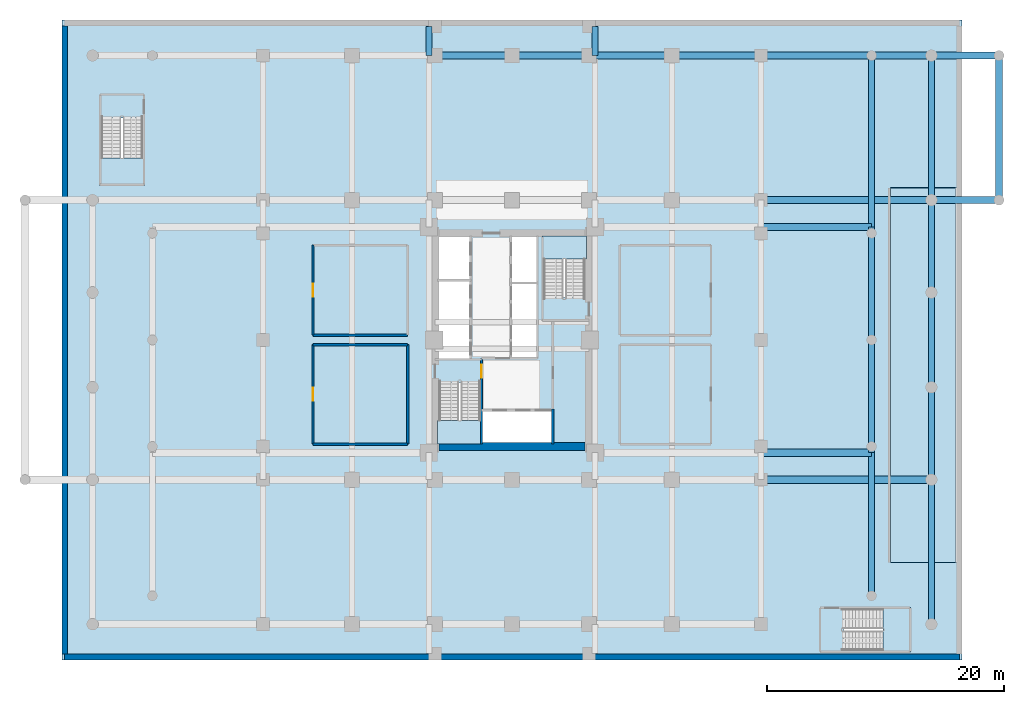
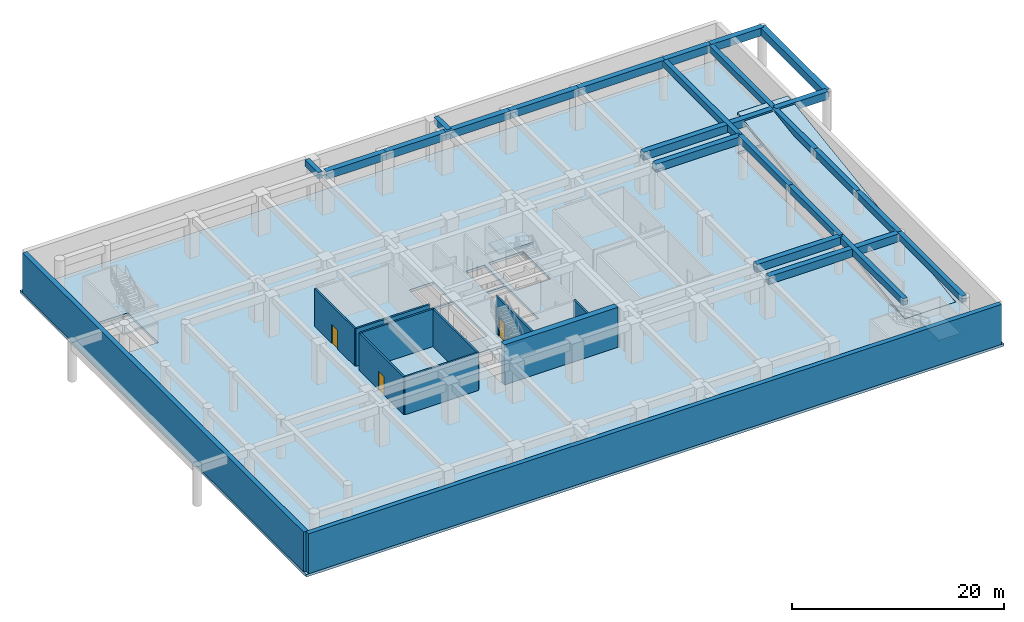
# One storey, part 2 of 12: 24 beams, 11 walls, 6 slabs, 3 doors, 3 openings, 4 elements without a shape of their own.
"""IFC4 building model written with IfcOpenShell, lengths in metres."""

import ifcopenshell
import ifcopenshell.guid

model = None  # the IFC model being written
_history = None  # IfcOwnerHistory: only IFC2X3 demands one
_inside = {}  # id of a spatial element -> (the spatial element, [elements in it])
_under = {}  # id of a project, library or spatial element -> (it, [spatial elements below it])
_declared = {}  # id of a project -> (the project, [libraries it declares])
_typed = {}  # id of a type object -> (the type object, [elements of that type])
_made_of = {}  # id of a material, layer set ... -> (it, [elements and type objects made of it])


def new_model(schema):
    """Start an empty IFC model of exactly this schema.

    Asked for "IFC4X3", IfcOpenShell would pick the latest addendum, in which some entities
    have other attributes; the version numbers below select the first issue.
    IFC2X3 requires an IfcOwnerHistory on every rooted entity: one is made here for all.
    """
    global model, _history
    if schema == "IFC4X3":
        model = ifcopenshell.file(schema_version=(4, 3, 0, 0))
    else:
        model = ifcopenshell.file(schema=schema)
    _inside.clear()
    _under.clear()
    _declared.clear()
    _typed.clear()
    _made_of.clear()
    _history = None
    if model.schema == "IFC2X3":
        org = make("IfcOrganization", Name="unknown")
        user = make(
            "IfcPersonAndOrganization",
            ThePerson=make("IfcPerson", FamilyName="unknown"),
            TheOrganization=org,
        )
        app = make(
            "IfcApplication",
            ApplicationDeveloper=org,
            Version="unknown",
            ApplicationFullName="unknown",
            ApplicationIdentifier="unknown",
        )
        _history = make(
            "IfcOwnerHistory",
            OwningUser=user,
            OwningApplication=app,
            ChangeAction="ADDED",
            CreationDate=0,
        )
    return model


def make(cls, **values):
    """One entity of the class cls with the attributes given. An attribute that is None is left unset."""
    return model.create_entity(
        cls, **{name: value for name, value in values.items() if value is not None}
    )


def rooted(cls, **values):
    """An entity with a GlobalId (a new one), such as an element, a storey or a relation."""
    return make(cls, GlobalId=ifcopenshell.guid.new(), OwnerHistory=_history, **values)


def si_unit(unit_type, name, prefix=None):
    """IfcSIUnit, for example si_unit("LENGTHUNIT", "METRE", prefix="MILLI")."""
    return make("IfcSIUnit", UnitType=unit_type, Prefix=prefix, Name=name)


def assignment(units):
    """IfcUnitAssignment: the units of a project."""
    return None if units is None else make("IfcUnitAssignment", Units=units)


def point(xyz):
    """IfcCartesianPoint."""
    return None if xyz is None else make("IfcCartesianPoint", Coordinates=xyz)


def direction(xyz):
    """IfcDirection."""
    return None if xyz is None else make("IfcDirection", DirectionRatios=xyz)


def frame(location, z_axis=None, x_axis=None):
    """IfcAxis2Placement3D, a coordinate frame: its origin and axes. An axis left out is left unset."""
    return make(
        "IfcAxis2Placement3D",
        Location=point(location),
        Axis=direction(z_axis),
        RefDirection=direction(x_axis),
    )


def frame_2d(location, x_axis=None):
    """IfcAxis2Placement2D, a coordinate frame in the plane: its origin and x axis."""
    return make(
        "IfcAxis2Placement2D", Location=point(location), RefDirection=direction(x_axis)
    )


def origin():
    """The frame at (0, 0, 0) with its axes left unset."""
    return frame((0.0, 0.0, 0.0))


def origin_2d():
    """The frame at (0, 0) in the plane with its x axis left unset."""
    return frame_2d((0.0, 0.0))


def place(relative_to, where):
    """IfcLocalPlacement: puts the frame where relative to a parent placement (None: the world)."""
    return make(
        "IfcLocalPlacement", PlacementRelTo=relative_to, RelativePlacement=where
    )


def context(
    kind, dimensions, precision=None, world=None, true_north=None, identifier=None
):
    """IfcGeometricRepresentationContext, for example the 3D "Model" context."""
    return make(
        "IfcGeometricRepresentationContext",
        ContextIdentifier=identifier,
        ContextType=kind,
        CoordinateSpaceDimension=dimensions,
        Precision=precision,
        WorldCoordinateSystem=world,
        TrueNorth=true_north,
    )


def subcontext(parent, identifier, kind, view, scale=None):
    """IfcGeometricRepresentationSubContext, for example "Body" below "Model"."""
    return make(
        "IfcGeometricRepresentationSubContext",
        ContextIdentifier=identifier,
        ContextType=kind,
        ParentContext=parent,
        TargetScale=scale,
        TargetView=view,
    )


def project(units=None, contexts=None):
    """IfcProject with its units and contexts."""
    return rooted(
        "IfcProject",
        Name="project",
        RepresentationContexts=contexts,
        UnitsInContext=assignment(units),
    )


def spatial(cls, under=None, at=None, **own):
    """A site, building, storey or space (cls), placed at a placement, below another one or the project."""
    s = rooted(cls, ObjectPlacement=at, **own)
    if under is not None:
        _under.setdefault(under.id(), (under, []))[1].append(s)
    return s


def polyline(points):
    """IfcPolyline through the points."""
    return make("IfcPolyline", Points=[point(p) for p in points])


def profile(cls, at=None, kind="AREA", **sizes):
    """A parametric profile (cls). Its sizes go by their IFC names, for example OverallWidth=200.0."""
    return make(cls, ProfileType=kind, Position=at, **sizes)


def rectangle(**sizes):
    """IfcRectangleProfileDef."""
    return profile("IfcRectangleProfileDef", **sizes)


def outline(outer, holes=None, kind="AREA"):
    """IfcArbitraryClosedProfileDef: a profile drawn as a closed curve; with holes, ...WithVoids."""
    if holes is None:
        return make("IfcArbitraryClosedProfileDef", ProfileType=kind, OuterCurve=outer)
    return make(
        "IfcArbitraryProfileDefWithVoids",
        ProfileType=kind,
        OuterCurve=outer,
        InnerCurves=holes,
    )


def extrude(swept, where, along, depth):
    """IfcExtrudedAreaSolid: the profile swept, set in the frame where, extruded along a direction by depth."""
    return make(
        "IfcExtrudedAreaSolid",
        SweptArea=swept,
        Position=where,
        ExtrudedDirection=direction(along),
        Depth=depth,
    )


def shape(context_of_items, identifier, shape_type, items):
    """IfcShapeRepresentation: the items that make up one representation, for example the "Body"."""
    return make(
        "IfcShapeRepresentation",
        ContextOfItems=context_of_items,
        RepresentationIdentifier=identifier,
        RepresentationType=shape_type,
        Items=items,
    )


def source(mapping_origin, context_of_items, identifier, shape_type, items):
    """IfcRepresentationMap: a shape defined once, which mapped items show again and again."""
    return make(
        "IfcRepresentationMap",
        MappingOrigin=mapping_origin,
        MappedRepresentation=shape(context_of_items, identifier, shape_type, items),
    )


def transform(
    local_origin,
    x_axis=None,
    y_axis=None,
    z_axis=None,
    scale=None,
    scale2=None,
    scale3=None,
    uniform=True,
):
    """IfcCartesianTransformationOperator3D, or its non-uniform kind. x_axis, y_axis, z_axis: its Axis1, 2, 3."""
    if uniform:
        return make(
            "IfcCartesianTransformationOperator3D",
            Axis1=direction(x_axis),
            Axis2=direction(y_axis),
            LocalOrigin=point(local_origin),
            Scale=scale,
            Axis3=direction(z_axis),
        )
    return make(
        "IfcCartesianTransformationOperator3DnonUniform",
        Axis1=direction(x_axis),
        Axis2=direction(y_axis),
        LocalOrigin=point(local_origin),
        Scale=scale,
        Axis3=direction(z_axis),
        Scale2=scale2,
        Scale3=scale3,
    )


def mapped(mapping_source, mapping_target):
    """IfcMappedItem: shows the shape of a source again, moved by a transform."""
    return make(
        "IfcMappedItem", MappingSource=mapping_source, MappingTarget=mapping_target
    )


def material(Name=None, Category=None):
    """IfcMaterial."""
    return make("IfcMaterial", Name=Name, Category=Category)


def layer(
    of_material, thickness, ventilated=None, Name=None, Category=None, Priority=None
):
    """IfcMaterialLayer: one layer of a wall or slab, of a material (None: an air gap)."""
    return make(
        "IfcMaterialLayer",
        Material=of_material,
        LayerThickness=thickness,
        IsVentilated=ventilated,
        Name=Name,
        Category=Category,
        Priority=Priority,
    )


def layer_set(layers, Name=None):
    """IfcMaterialLayerSet."""
    return make("IfcMaterialLayerSet", MaterialLayers=layers, LayerSetName=Name)


def material_profile(
    of_material, cross_section, Name=None, Category=None, Priority=None
):
    """IfcMaterialProfile: a cross section and its material."""
    return make(
        "IfcMaterialProfile",
        Name=Name,
        Material=of_material,
        Profile=cross_section,
        Priority=Priority,
        Category=Category,
    )


def profile_set(profiles, Name=None, composite=None):
    """IfcMaterialProfileSet."""
    return make(
        "IfcMaterialProfileSet",
        Name=Name,
        MaterialProfiles=profiles,
        CompositeProfile=composite,
    )


def made_of(thing, what):
    """Note that an element or type object is made of a material, layer set ...; save() writes the relation."""
    if what is not None:
        _made_of.setdefault(what.id(), (what, []))[1].append(thing)
    return thing


def type_object(cls, material=None, **own):
    """A type object (cls), such as IfcWallType, which elements share."""
    return made_of(rooted(cls, **own), material)


def element(
    cls,
    number,
    at=None,
    inside=None,
    cuts=None,
    type_object=None,
    material=None,
    context=None,
    identifier="Body",
    shape_type=None,
    held_by="IfcProductDefinitionShape",
    body=None,
    shapes=None,
    **own,
):
    """One element of the class cls, such as IfcWall. Its Tag is "e" and its number.

    at: its placement. inside: the storey or other place that contains it. cuts: it is an
    opening in that element (IfcRelVoidsElement). A single representation is given by context,
    identifier, shape_type and body (its items); several are given by shapes. held_by: the class
    of the entity that holds the representations. save() writes the other relations.
    """
    e = rooted(cls, Tag="e%d" % number, ObjectPlacement=at, **own)
    if body is not None:
        shapes = [shape(context, identifier, shape_type, body)]
    if shapes is not None:
        e.Representation = make(held_by, Representations=shapes)
    if inside is not None:
        _inside.setdefault(inside.id(), (inside, []))[1].append(e)
    if cuts is not None:
        rooted(
            "IfcRelVoidsElement", RelatingBuildingElement=cuts, RelatedOpeningElement=e
        )
    if type_object is not None:
        _typed.setdefault(type_object.id(), (type_object, []))[1].append(e)
    return made_of(e, material)


def fill(opening, filler):
    """IfcRelFillsElement: the door or window that sits in an opening."""
    return rooted(
        "IfcRelFillsElement",
        RelatingOpeningElement=opening,
        RelatedBuildingElement=filler,
    )


def aggregate(whole, parts):
    """IfcRelAggregates: a whole, such as a stair, and the parts it consists of."""
    return rooted("IfcRelAggregates", RelatingObject=whole, RelatedObjects=parts)


def save(model, path):
    """Write the relations noted so far, then the file.

    IfcRelAggregates (storeys below a building ...), IfcRelContainedInSpatialStructure (elements
    in a storey), IfcRelDefinesByType, IfcRelAssociatesMaterial and IfcRelDeclares: one each for
    every whole, place, type object, material and project.
    """
    for whole, parts in _under.values():
        aggregate(whole, parts)
    for where, things in _inside.values():
        rooted(
            "IfcRelContainedInSpatialStructure",
            RelatedElements=things,
            RelatingStructure=where,
        )
    for kind, things in _typed.values():
        rooted("IfcRelDefinesByType", RelatedObjects=things, RelatingType=kind)
    for what, things in _made_of.values():
        rooted("IfcRelAssociatesMaterial", RelatedObjects=things, RelatingMaterial=what)
    for by, libraries in _declared.values():
        rooted("IfcRelDeclares", RelatingContext=by, RelatedDefinitions=libraries)
    model.write(path)


model = new_model("IFC4")

# Units and contexts
model_context = context("Model", 3, precision=1e-05, world=origin(), true_north=direction((0.0, 1.0)))
body_context = subcontext(model_context, "Body", "Model", "MODEL_VIEW")
ifc_project = project(units=[si_unit("LENGTHUNIT", "METRE"), si_unit("AREAUNIT", "SQUARE_METRE"), si_unit("VOLUMEUNIT", "CUBIC_METRE"), si_unit("PLANEANGLEUNIT", "RADIAN"), si_unit("MASSUNIT", "GRAM", prefix="KILO")], contexts=[model_context])

# Site, building, storey
site_placement = place(None, origin())
site = spatial("IfcSite", under=ifc_project, at=site_placement, CompositionType="ELEMENT")
building_placement = place(site_placement, origin())
building = spatial("IfcBuilding", under=site, at=building_placement, Name="Saelheon Loggia Tower", CompositionType="ELEMENT")
storey_placement = place(building_placement, frame((0.0, 0.0, -4.60009765625)))
storey = spatial("IfcBuildingStorey", under=building, at=storey_placement, Name="B1", CompositionType="ELEMENT", Elevation=-4.60009765625)

# Beams
ifc_material_1 = material(Name="Concrete C50/60", Category="concrete")
ifc_material_profile_1 = material_profile(ifc_material_1, rectangle(XDim=0.60009765625, YDim=0.89990234375, at=origin_2d()), Name="RC-600x900")
ifc_profile_set_1 = profile_set([ifc_material_profile_1], Name="Concrete C50/60")
beam_type_1 = type_object("IfcBeamType", Name="Beam_PorticoSub_RC600x900", PredefinedType="BEAM", material=ifc_profile_set_1)
shared_shape_1 = source(origin(), body_context, "Body", "SweptSolid", [
    extrude(rectangle(XDim=0.60009765625, YDim=0.89990234375, at=origin_2d()), origin(), (0.0, 0.0, 1.0), 5.7001953125),
])
for number, where, z_axis, x_axis, name in (
    (1, (73.39990234375, 38.800048828125, 4.150146484375), (1.0, 0.0, 0.0), (0.0, 1.0, 0.0), "BM-B1-PRTE-S"),
    (2, (73.39990234375, 51.0, 4.150146484375), (1.0, 0.0, 0.0), (0.0, 1.0, 0.0), "BM-B1-PRTE-N"),
):
    element("IfcBeam", number, at=place(storey_placement, frame(where, z_axis=z_axis, x_axis=x_axis)), inside=storey, type_object=beam_type_1, Name=name, PredefinedType="BEAM", context=body_context, shape_type="MappedRepresentation", body=[
        mapped(shared_shape_1, transform((0.0, 0.0, 0.0), scale=1.0)),
    ])
shared_shape_2 = source(origin(), body_context, "Body", "SweptSolid", [
    extrude(rectangle(XDim=0.60009765625, YDim=0.89990234375, at=origin_2d()), origin(), (0.0, 0.0, 1.0), 12.199951171875),
])
beam_1_placement = place(storey_placement, frame((79.10009765625, 38.800048828125, 4.150146484375), z_axis=(0.0, 1.0, 0.0), x_axis=(-1.0, 0.0, 0.0)))
element("IfcBeam", 3, at=beam_1_placement, inside=storey, type_object=beam_type_1, Name="BM-B1-PRTE-E", PredefinedType="BEAM", context=body_context, shape_type="MappedRepresentation", body=[
    mapped(shared_shape_2, transform((0.0, 0.0, 0.0), scale=1.0)),
])
ifc_material_profile_2 = material_profile(ifc_material_1, rectangle(XDim=0.60009765625, YDim=0.89990234375, at=origin_2d()), Name="RC-600x900")
ifc_profile_set_2 = profile_set([ifc_material_profile_2], Name="Concrete C50/60")
beam_type_2 = type_object("IfcBeamType", Name="Beam_MainGirder_RC600x900", PredefinedType="BEAM", material=ifc_profile_set_2)
shared_shape_3 = source(origin(), body_context, "Body", "SweptSolid", [
    extrude(rectangle(XDim=0.60009765625, YDim=0.89990234375, at=origin_2d()), origin(), (0.0, 0.0, 1.0), 14.39990234375),
])
for number, where, z_axis, x_axis, name in (
    (4, (59.0, 15.199951171875, 4.150146484375), (1.0, 0.0, 0.0), (0.0, 1.0, 0.0), "BM-B1-EW-15-8"),
    (5, (59.0, 38.800048828125, 4.150146484375), (1.0, 0.0, 0.0), (0.0, 1.0, 0.0), "BM-B1-EW-38-8"),
):
    element("IfcBeam", number, at=place(storey_placement, frame(where, z_axis=z_axis, x_axis=x_axis)), inside=storey, type_object=beam_type_2, Name=name, PredefinedType="BEAM", context=body_context, shape_type="MappedRepresentation", body=[
        mapped(shared_shape_3, transform((0.0, 0.0, 0.0), scale=1.0)),
    ])
shared_shape_4 = source(origin(), body_context, "Body", "SweptSolid", [
    extrude(rectangle(XDim=0.60009765625, YDim=0.89990234375, at=origin_2d()), origin(), (0.0, 0.0, 1.0), 7.5),
])
beam_2_placement = place(storey_placement, frame((51.5, 51.0, 4.150146484375), z_axis=(1.0, 0.0, 0.0), x_axis=(0.0, 1.0, 0.0)))
element("IfcBeam", 6, at=beam_2_placement, inside=storey, type_object=beam_type_2, Name="BM-B1-EW-51-8", PredefinedType="BEAM", context=body_context, shape_type="MappedRepresentation", body=[
    mapped(shared_shape_4, transform((0.0, 0.0, 0.0), scale=1.0)),
])
shared_shape_5 = source(origin(), body_context, "Body", "SweptSolid", [
    extrude(rectangle(XDim=0.60009765625, YDim=0.89990234375, at=origin_2d()), origin(), (0.0, 0.0, 1.0), 7.0),
])
beam_3_placement = place(storey_placement, frame((44.5, 51.0, 4.150146484375), z_axis=(1.0, 0.0, 0.0), x_axis=(0.0, 1.0, 0.0)))
element("IfcBeam", 7, at=beam_3_placement, inside=storey, type_object=beam_type_2, Name="BM-B1-EW-51-7", PredefinedType="BEAM", context=body_context, shape_type="MappedRepresentation", body=[
    mapped(shared_shape_5, transform((0.0, 0.0, 0.0), scale=1.0)),
])
shared_shape_6 = source(origin(), body_context, "Body", "SweptSolid", [
    extrude(rectangle(XDim=0.60009765625, YDim=0.89990234375, at=origin_2d()), origin(), (0.0, 0.0, 1.0), 6.5),
])
for number, where, z_axis, x_axis, name in (
    (8, (31.5, 51.0, 4.150146484375), (1.0, 0.0, 0.0), (0.0, 1.0, 0.0), "BM-B1-EW-51-5"),
    (9, (38.0, 51.0, 4.150146484375), (1.0, 0.0, 0.0), (0.0, 1.0, 0.0), "BM-B1-EW-51-6"),
):
    element("IfcBeam", number, at=place(storey_placement, frame(where, z_axis=z_axis, x_axis=x_axis)), inside=storey, type_object=beam_type_2, Name=name, PredefinedType="BEAM", context=body_context, shape_type="MappedRepresentation", body=[
        mapped(shared_shape_6, transform((0.0, 0.0, 0.0), scale=1.0)),
    ])
shared_shape_7 = source(origin(), body_context, "Body", "SweptSolid", [
    extrude(rectangle(XDim=0.60009765625, YDim=0.89990234375, at=origin_2d()), origin(), (0.0, 0.0, 1.0), 5.0498046875),
])
beam_4_placement = place(storey_placement, frame((68.35009765625, 51.0, 4.150146484375), z_axis=(1.0, 0.0, 0.0), x_axis=(0.0, 1.0, 0.0)))
element("IfcBeam", 10, at=beam_4_placement, inside=storey, type_object=beam_type_2, Name="BM-B1-EW-51-10", PredefinedType="BEAM", context=body_context, shape_type="MappedRepresentation", body=[
    mapped(shared_shape_7, transform((0.0, 0.0, 0.0), scale=1.0)),
])
shared_shape_8 = source(origin(), body_context, "Body", "SweptSolid", [
    extrude(rectangle(XDim=0.60009765625, YDim=0.89990234375, at=origin_2d()), origin(), (0.0, 0.0, 1.0), 9.35009765625),
])
for number, where, z_axis, x_axis, name in (
    (11, (59.0, 51.0, 4.150146484375), (1.0, 0.0, 0.0), (0.0, 1.0, 0.0), "BM-B1-EW-51-9"),
    (12, (59.0, 17.47998046875, 4.150146484375), (1.0, 0.0, 0.0), (0.0, 1.0, 0.0), "BM-B1-CT-17-E1"),
    (13, (59.0, 36.52001953125, 4.150146484375), (1.0, 0.0, 0.0), (0.0, 1.0, 0.0), "BM-B1-CT-36-E1"),
):
    element("IfcBeam", number, at=place(storey_placement, frame(where, z_axis=z_axis, x_axis=x_axis)), inside=storey, type_object=beam_type_2, Name=name, PredefinedType="BEAM", context=body_context, shape_type="MappedRepresentation", body=[
        mapped(shared_shape_8, transform((0.0, 0.0, 0.0), scale=1.0)),
    ])
ifc_material_2 = material(Name="Concrete C45/55", Category="concrete")
ifc_material_profile_3 = material_profile(ifc_material_2, rectangle(XDim=0.5, YDim=0.75, at=origin_2d()), Name="RC-500x750")
ifc_profile_set_3 = profile_set([ifc_material_profile_3], Name="Concrete C45/55")
beam_type_3 = type_object("IfcBeamType", Name="Beam_PerimGirder_RC500x750", PredefinedType="BEAM", material=ifc_profile_set_3)
shared_shape_9 = source(origin(), body_context, "Body", "SweptSolid", [
    extrude(rectangle(XDim=0.5, YDim=0.75, at=origin_2d()), origin(), (0.0, 0.0, 1.0), 12.199951171875),
])
for number, where, z_axis, x_axis, name in (
    (14, (73.39990234375, 3.0, 4.22509765625), (0.0, 1.0, 0.0), (-1.0, 0.0, 0.0), "BM-B1-NS-73-1"),
    (15, (73.39990234375, 38.800048828125, 4.22509765625), (0.0, 1.0, 0.0), (-1.0, 0.0, 0.0), "BM-B1-NS-73-5"),
):
    element("IfcBeam", number, at=place(storey_placement, frame(where, z_axis=z_axis, x_axis=x_axis)), inside=storey, type_object=beam_type_3, Name=name, PredefinedType="BEAM", context=body_context, shape_type="MappedRepresentation", body=[
        mapped(shared_shape_9, transform((0.0, 0.0, 0.0), scale=1.0)),
    ])
shared_shape_10 = source(origin(), body_context, "Body", "SweptSolid", [
    extrude(rectangle(XDim=0.5, YDim=0.75, at=origin_2d()), origin(), (0.0, 0.0, 1.0), 7.800048828125),
])
for number, where, z_axis, x_axis, name in (
    (16, (73.39990234375, 15.199951171875, 4.22509765625), (0.0, 1.0, 0.0), (-1.0, 0.0, 0.0), "BM-B1-NS-73-2"),
    (17, (73.39990234375, 31.0, 4.22509765625), (0.0, 1.0, 0.0), (-1.0, 0.0, 0.0), "BM-B1-NS-73-4"),
):
    element("IfcBeam", number, at=place(storey_placement, frame(where, z_axis=z_axis, x_axis=x_axis)), inside=storey, type_object=beam_type_3, Name=name, PredefinedType="BEAM", context=body_context, shape_type="MappedRepresentation", body=[
        mapped(shared_shape_10, transform((0.0, 0.0, 0.0), scale=1.0)),
    ])
shared_shape_11 = source(origin(), body_context, "Body", "SweptSolid", [
    extrude(rectangle(XDim=0.5, YDim=0.75, at=origin_2d()), origin(), (0.0, 0.0, 1.0), 8.0),
])
beam_5_placement = place(storey_placement, frame((73.39990234375, 23.0, 4.22509765625), z_axis=(0.0, 1.0, 0.0), x_axis=(-1.0, 0.0, 0.0)))
element("IfcBeam", 18, at=beam_5_placement, inside=storey, type_object=beam_type_3, Name="BM-B1-NS-73-3", PredefinedType="BEAM", context=body_context, shape_type="MappedRepresentation", body=[
    mapped(shared_shape_11, transform((0.0, 0.0, 0.0), scale=1.0)),
])
ifc_material_profile_4 = material_profile(ifc_material_2, rectangle(XDim=0.5, YDim=0.75, at=origin_2d()), Name="RC-500x750")
ifc_profile_set_4 = profile_set([ifc_material_profile_4], Name="Concrete C45/55")
beam_type_4 = type_object("IfcBeamType", Name="Beam_FloorGirder_RC500x750", PredefinedType="BEAM", material=ifc_profile_set_4)
shared_shape_12 = source(origin(), body_context, "Body", "SweptSolid", [
    extrude(rectangle(XDim=0.5, YDim=0.75, at=origin_2d()), origin(), (0.0, 0.0, 1.0), 12.080078125),
])
beam_6_placement = place(storey_placement, frame((68.35009765625, 5.39990234375, 4.22509765625), z_axis=(0.0, 1.0, 0.0), x_axis=(-1.0, 0.0, 0.0)))
element("IfcBeam", 19, at=beam_6_placement, inside=storey, type_object=beam_type_4, Name="BM-B1-NS-68-1", PredefinedType="BEAM", context=body_context, shape_type="MappedRepresentation", body=[
    mapped(shared_shape_12, transform((0.0, 0.0, 0.0), scale=1.0)),
])
shared_shape_13 = source(origin(), body_context, "Body", "SweptSolid", [
    extrude(rectangle(XDim=0.5, YDim=0.75, at=origin_2d()), origin(), (0.0, 0.0, 1.0), 9.52001953125),
])
for number, where, z_axis, x_axis, name in (
    (20, (68.35009765625, 17.47998046875, 4.22509765625), (0.0, 1.0, 0.0), (-1.0, 0.0, 0.0), "BM-B1-NS-68-2"),
    (21, (68.35009765625, 27.0, 4.22509765625), (0.0, 1.0, 0.0), (-1.0, 0.0, 0.0), "BM-B1-NS-68-3"),
):
    element("IfcBeam", number, at=place(storey_placement, frame(where, z_axis=z_axis, x_axis=x_axis)), inside=storey, type_object=beam_type_4, Name=name, PredefinedType="BEAM", context=body_context, shape_type="MappedRepresentation", body=[
        mapped(shared_shape_13, transform((0.0, 0.0, 0.0), scale=1.0)),
    ])
shared_shape_14 = source(origin(), body_context, "Body", "SweptSolid", [
    extrude(rectangle(XDim=0.5, YDim=0.75, at=origin_2d()), origin(), (0.0, 0.0, 1.0), 2.449951171875),
])
for number, where, z_axis, x_axis, name in (
    (22, (30.97998046875, 51.0, 4.22509765625), (0.0, 1.0, 0.0), (-1.0, 0.0, 0.0), "BM-B1-NS-30-7"),
    (23, (45.02001953125, 51.0, 4.22509765625), (0.0, 1.0, 0.0), (-1.0, 0.0, 0.0), "BM-B1-NS-45-7"),
):
    element("IfcBeam", number, at=place(storey_placement, frame(where, z_axis=z_axis, x_axis=x_axis)), inside=storey, type_object=beam_type_4, Name=name, PredefinedType="BEAM", context=body_context, shape_type="MappedRepresentation", body=[
        mapped(shared_shape_14, transform((0.0, 0.0, 0.0), scale=1.0)),
    ])
shared_shape_15 = source(origin(), body_context, "Body", "SweptSolid", [
    extrude(rectangle(XDim=0.5, YDim=0.75, at=origin_2d()), origin(), (0.0, 0.0, 1.0), 14.47998046875),
])
beam_7_placement = place(storey_placement, frame((68.35009765625, 36.52001953125, 4.22509765625), z_axis=(0.0, 1.0, 0.0), x_axis=(-1.0, 0.0, 0.0)))
element("IfcBeam", 24, at=beam_7_placement, inside=storey, type_object=beam_type_4, Name="BM-B1-NS-68-4", PredefinedType="BEAM", context=body_context, shape_type="MappedRepresentation", body=[
    mapped(shared_shape_15, transform((0.0, 0.0, 0.0), scale=1.0)),
])

# Slabs
ifc_material_3 = material(Name="Concrete C40/50", Category="concrete")
ifc_layer_1 = layer(ifc_material_3, 0.300048828125)
ifc_layer_set_1 = layer_set([ifc_layer_1], Name="Concrete C40/50")
slab_type_1 = type_object("IfcSlabType", Name="Slab_Basement_300", PredefinedType="FLOOR", material=ifc_layer_set_1)
slab_1_placement = place(storey_placement, frame((0.0, 0.0, -0.2998046875)))
element("IfcSlab", 25, at=slab_1_placement, inside=storey, type_object=slab_type_1, Name="B1 Basement Structural Slab", PredefinedType="FLOOR", context=body_context, shape_type="SweptSolid", body=[
    extrude(outline(polyline([(0.0, 0.0), (76.0, 0.0), (76.0, 54.0), (0.0, 54.0), (0.0, 0.0)]), holes=[polyline([(31.699951171875, 23.409912109375), (31.699951171875, 18.199951171875), (35.47998046875, 18.199951171875), (35.47998046875, 23.409912109375), (31.699951171875, 23.409912109375)]), polyline([(44.300048828125, 30.590087890625), (44.300048828125, 35.800048828125), (40.52001953125, 35.800048828125), (40.52001953125, 30.590087890625), (44.300048828125, 30.590087890625)]), polyline([(3.199951171875, 45.7099609375), (3.199951171875, 40.050048828125), (6.97998046875, 40.050048828125), (6.97998046875, 45.7099609375), (3.199951171875, 45.7099609375)]), polyline([(65.989990234375, 0.64990234375), (71.64990234375, 0.64990234375), (71.64990234375, 4.429931640625), (65.989990234375, 4.429931640625), (65.989990234375, 0.64990234375)]), polyline([(35.530029296875, 18.324951171875), (41.35009765625, 18.324951171875), (41.35009765625, 20.9599609375), (35.530029296875, 20.9599609375), (35.530029296875, 18.324951171875)]), polyline([(31.824951171875, 32.1201171875), (34.419921875, 32.1201171875), (34.419921875, 35.675048828125), (31.824951171875, 35.675048828125), (31.824951171875, 32.1201171875)]), polyline([(38.0, 31.89990234375), (40.050048828125, 31.89990234375), (40.050048828125, 35.675048828125), (38.0, 35.675048828125), (38.0, 31.89990234375)]), polyline([(31.824951171875, 25.449951171875), (34.419921875, 25.449951171875), (34.419921875, 31.919921875), (31.824951171875, 31.919921875), (31.824951171875, 25.449951171875)]), polyline([(38.0, 25.5400390625), (40.050048828125, 25.5400390625), (40.050048828125, 31.699951171875), (38.0, 31.699951171875), (38.0, 25.5400390625)]), polyline([(69.949951171875, 8.199951171875), (75.5, 8.199951171875), (75.5, 39.800048828125), (69.949951171875, 39.800048828125), (69.949951171875, 8.199951171875)])]), origin(), (0.0, 0.0, 1.0), 0.2998046875),
])
ifc_layer_2 = layer(ifc_material_3, 0.300048828125)
ifc_layer_set_2 = layer_set([ifc_layer_2], Name="Concrete C40/50")
slab_type_2 = type_object("IfcSlabType", Name="Slab_Ramp_Veh_300", PredefinedType="FLOOR", material=ifc_layer_set_2)
slab_2_placement = place(storey_placement, frame((69.949951171875, 8.199951171875, 0.0), z_axis=(0.0, -0.144053918812, 0.98956984012), x_axis=(1.0, 0.0, 0.0)))
element("IfcSlab", 26, at=slab_2_placement, inside=storey, type_object=slab_type_2, Name="R2 Vehicle Ramp Structural Slab", PredefinedType="FLOOR", context=body_context, shape_type="SweptSolid", body=[
    extrude(outline(polyline([(0.0, 0.0), (5.5, 0.0), (5.5, 31.933165679768948), (0.0, 31.933165679768948), (0.0, 0.0)])), origin(), (0.0, 0.0, -1.0), 0.300048828125),
])

# Stair, slab
stair_type_1 = type_object("IfcStairType", Name="Stair_Escape_Core", PredefinedType="HALF_TURN_STAIR", material=ifc_material_3)
stair_1_placement = place(storey_placement, origin())
stair_1 = element("IfcStair", 27, at=stair_1_placement, inside=storey, type_object=stair_type_1, Name="B1 Special Escape Stair ST1", PredefinedType="HALF_TURN_STAIR")
ifc_layer_3 = layer(ifc_material_3, 0.199951171875)
ifc_layer_set_3 = layer_set([ifc_layer_3], Name="Concrete C40/50")
slab_type_3 = type_object("IfcSlabType", Name="Slab_StairLanding_ST1", PredefinedType="LANDING", material=ifc_layer_set_3)
slab_3_placement = place(storey_placement, frame((0.0, 0.0, 2.10009765625)))
slab_3 = element("IfcSlab", 28, at=slab_3_placement, type_object=slab_type_3, Name="ST1 landing 1", PredefinedType="LANDING", context=body_context, shape_type="SweptSolid", body=[
    extrude(outline(polyline([(31.7099609375, 20.18994140625), (31.7099609375, 18.2099609375), (35.469970703125, 18.2099609375), (35.469970703125, 20.18994140625), (31.7099609375, 20.18994140625)])), origin(), (0.0, 0.0, 1.0), 0.199951171875),
])
aggregate(stair_1, [slab_3])

stair_2_placement = place(storey_placement, origin())
stair_2 = element("IfcStair", 29, at=stair_2_placement, inside=storey, type_object=stair_type_1, Name="B1 Special Escape Stair ST2", PredefinedType="HALF_TURN_STAIR")
ifc_layer_4 = layer(ifc_material_3, 0.199951171875)
ifc_layer_set_4 = layer_set([ifc_layer_4], Name="Concrete C40/50")
slab_type_4 = type_object("IfcSlabType", Name="Slab_StairLanding_ST2", PredefinedType="LANDING", material=ifc_layer_set_4)
slab_4_placement = place(storey_placement, frame((0.0, 0.0, 2.10009765625)))
slab_4 = element("IfcSlab", 30, at=slab_4_placement, type_object=slab_type_4, Name="ST2 landing 1", PredefinedType="LANDING", context=body_context, shape_type="SweptSolid", body=[
    extrude(outline(polyline([(44.2900390625, 33.81005859375), (44.2900390625, 35.7900390625), (40.530029296875, 35.7900390625), (40.530029296875, 33.81005859375), (44.2900390625, 33.81005859375)])), origin(), (0.0, 0.0, 1.0), 0.199951171875),
])
aggregate(stair_2, [slab_4])

stair_type_2 = type_object("IfcStairType", Name="Stair_Escape_Podium", PredefinedType="HALF_TURN_STAIR", material=ifc_material_3)
stair_3_placement = place(storey_placement, origin())
stair_3 = element("IfcStair", 31, at=stair_3_placement, inside=storey, type_object=stair_type_2, Name="B1 Podium Escape Stair ST3", PredefinedType="HALF_TURN_STAIR")
ifc_layer_5 = layer(ifc_material_3, 0.199951171875)
ifc_layer_set_5 = layer_set([ifc_layer_5], Name="Concrete C40/50")
slab_type_5 = type_object("IfcSlabType", Name="Slab_StairLanding_ST3", PredefinedType="LANDING", material=ifc_layer_set_5)
slab_5_placement = place(storey_placement, frame((0.0, 0.0, 2.10009765625)))
slab_5 = element("IfcSlab", 32, at=slab_5_placement, type_object=slab_type_5, Name="ST3 landing 1", PredefinedType="LANDING", context=body_context, shape_type="SweptSolid", body=[
    extrude(outline(polyline([(3.2099609375, 42.3701171875), (3.2099609375, 40.06005859375), (6.969970703125, 40.06005859375), (6.969970703125, 42.3701171875), (3.2099609375, 42.3701171875)])), origin(), (0.0, 0.0, 1.0), 0.199951171875),
])
aggregate(stair_3, [slab_5])

stair_4_placement = place(storey_placement, origin())
stair_4 = element("IfcStair", 33, at=stair_4_placement, inside=storey, type_object=stair_type_2, Name="B1 Podium Escape Stair ST4", PredefinedType="HALF_TURN_STAIR")
ifc_layer_6 = layer(ifc_material_3, 0.199951171875)
ifc_layer_set_6 = layer_set([ifc_layer_6], Name="Concrete C40/50")
slab_type_6 = type_object("IfcSlabType", Name="Slab_StairLanding_ST4", PredefinedType="LANDING", material=ifc_layer_set_6)
slab_6_placement = place(storey_placement, frame((0.0, 0.0, 2.10009765625)))
slab_6 = element("IfcSlab", 34, at=slab_6_placement, type_object=slab_type_6, Name="ST4 landing 1", PredefinedType="LANDING", context=body_context, shape_type="SweptSolid", body=[
    extrude(outline(polyline([(69.330078125, 0.659912109375), (71.639892578125, 0.659912109375), (71.639892578125, 4.419921875), (69.330078125, 4.419921875), (69.330078125, 0.659912109375)])), origin(), (0.0, 0.0, 1.0), 0.199951171875),
])
aggregate(stair_4, [slab_6])

# Walls
ifc_material_4 = material(Name="Concrete C60/75", Category="concrete")
ifc_layer_7 = layer(ifc_material_4, 0.64990234375)
ifc_layer_set_7 = layer_set([ifc_layer_7], Name="Concrete C60/75")
wall_type_1 = type_object("IfcWallType", Name="Wall_CoreShear_650", PredefinedType="SHEAR", material=ifc_layer_set_7)
wall_1_placement = place(storey_placement, frame((31.824951171875, 18.0, 0.0), z_axis=(0.0, 0.0, 1.0), x_axis=(1.0, 0.0, 0.0)))
element("IfcWall", 35, at=wall_1_placement, inside=storey, type_object=wall_type_1, Name="B1 Core Shear Wall South", PredefinedType="SHEAR", context=body_context, shape_type="SweptSolid", body=[
    extrude(rectangle(XDim=12.35009765625, YDim=0.64990234375, at=frame_2d((6.175048828125, 0.0))), origin(), (0.0, 0.0, 1.0), 4.60009765625),
])
ifc_layer_8 = layer(ifc_material_3, 0.5)
ifc_layer_set_8 = layer_set([ifc_layer_8], Name="Concrete C40/50")
wall_type_2 = type_object("IfcWallType", Name="Wall_Retaining_500", PredefinedType="USERDEFINED", material=ifc_layer_set_8)
wall_2_placement = place(storey_placement, frame((0.25, 0.25, 0.0), z_axis=(0.0, 0.0, 1.0), x_axis=(1.0, 0.0, 0.0)))
element("IfcWall", 36, at=wall_2_placement, inside=storey, type_object=wall_type_2, Name="B1 Basement Retaining Wall S", ObjectType="RETAININGWALL", PredefinedType="USERDEFINED", context=body_context, shape_type="SweptSolid", body=[
    extrude(rectangle(XDim=75.5, YDim=0.5, at=frame_2d((37.75, 0.0))), origin(), (0.0, 0.0, 1.0), 4.60009765625),
])
wall_3_placement = place(storey_placement, frame((0.25, 53.5, 0.0), z_axis=(0.0, 0.0, 1.0), x_axis=(0.0, -1.0, 0.0)))
element("IfcWall", 37, at=wall_3_placement, inside=storey, type_object=wall_type_2, Name="B1 Basement Retaining Wall W", ObjectType="RETAININGWALL", PredefinedType="USERDEFINED", context=body_context, shape_type="SweptSolid", body=[
    extrude(rectangle(XDim=53.0, YDim=0.5, at=frame_2d((26.5, 0.0))), origin(), (0.0, 0.0, 1.0), 4.60009765625),
])
ifc_layer_9 = layer(ifc_material_3, 0.199951171875)
ifc_layer_set_9 = layer_set([ifc_layer_9], Name="Concrete C40/50")
wall_type_3 = type_object("IfcWallType", Name="Wall_Shaft_200", PredefinedType="PARTITIONING", material=ifc_layer_set_9)
wall_4_placement = place(storey_placement, frame((41.449951171875, 18.219970703125, 0.0), z_axis=(0.0, 0.0, 1.0), x_axis=(0.0, 1.0, 0.0)))
element("IfcWall", 38, at=wall_4_placement, inside=storey, type_object=wall_type_3, Name="CW-INT-B1-BOH-W0", PredefinedType="PARTITIONING", context=body_context, shape_type="SweptSolid", body=[
    extrude(rectangle(XDim=2.9599609375, YDim=0.199951171875, at=frame_2d((1.47998046875, 0.0))), origin(), (0.0, 0.0, 1.0), 4.320068359375),
])
for number, where, z_axis, x_axis, name in (
    (39, (21.199951171875, 18.199951171875, 0.0), (0.0, 0.0, 1.0), (1.0, 0.0, 0.0), "B1 Main High-Voltage Electrical Switchroom South Wall"),
    (40, (21.199951171875, 26.60009765625, 0.0), (0.0, 0.0, 1.0), (1.0, 0.0, 0.0), "B1 Main High-Voltage Electrical Switchroom North Wall"),
):
    element("IfcWall", number, at=place(storey_placement, frame(where, z_axis=z_axis, x_axis=x_axis)), inside=storey, type_object=wall_type_3, Name=name, PredefinedType="PARTITIONING", context=body_context, shape_type="SweptSolid", body=[
        extrude(rectangle(XDim=8.0, YDim=0.199951171875, at=frame_2d((4.0, 0.0))), origin(), (0.0, 0.0, 1.0), 4.320068359375),
    ])

# Wall, opening, door
wall_5_placement = place(storey_placement, frame((21.199951171875, 18.199951171875, 0.0), z_axis=(0.0, 0.0, 1.0), x_axis=(0.0, 1.0, 0.0)))
wall_5 = element("IfcWall", 41, at=wall_5_placement, inside=storey, type_object=wall_type_3, Name="B1 Main High-Voltage Electrical Switchroom West Wall", PredefinedType="PARTITIONING", context=body_context, shape_type="SweptSolid", body=[
    extrude(rectangle(XDim=8.400146484375, YDim=0.199951171875, at=frame_2d((4.2001953125, 0.0))), origin(), (0.0, 0.0, 1.0), 4.320068359375),
])
opening_1_placement = place(wall_5_placement, frame((3.64990234375, 0.0, 0.0)))
opening_1 = element("IfcOpeningElement", 42, at=opening_1_placement, cuts=wall_5, Name="Opening D-FD2", PredefinedType="OPENING", context=body_context, shape_type="SweptSolid", body=[
    extrude(rectangle(XDim=1.10009765625, YDim=2.14990234375, at=frame_2d((0.550048828125, 1.074951171875))), frame((0.0, 0.112060546875, 0.0), z_axis=(0.0, -1.0, 0.0), x_axis=(1.0, 0.0, 0.0)), (0.0, 0.0, 1.0), 0.223876953125),
])
ifc_material_5 = material(Name="Galvanised Steel Fire Door", Category="steel")
door_type = type_object("IfcDoorType", Name="Door_Fire_FD60_1100", OperationType="NOTDEFINED", PredefinedType="DOOR", material=ifc_material_5)
shared_shape_16 = source(origin(), body_context, "Body", "SweptSolid", [
    extrude(rectangle(XDim=1.10009765625, YDim=2.14990234375, at=frame_2d((0.550048828125, 1.074951171875))), frame((0.0, 0.02490234375, 0.0), z_axis=(0.0, -1.0, 0.0), x_axis=(1.0, 0.0, 0.0)), (0.0, 0.0, 1.0), 0.050048828125),
])
door_1_placement = place(opening_1_placement, origin())
door_1 = element("IfcDoor", 43, at=door_1_placement, inside=storey, type_object=door_type, Name="B1 Main High-Voltage Electrical Switchroom Door", OperationType="SINGLE_SWING_LEFT", OverallHeight=2.14990234375, OverallWidth=1.10009765625, PredefinedType="DOOR", context=body_context, shape_type="MappedRepresentation", body=[
    mapped(shared_shape_16, transform((0.0, 0.0, 0.0), scale=1.0)),
])
fill(opening_1, door_1)

# Walls
wall_6_placement = place(storey_placement, frame((29.199951171875, 18.199951171875, 0.0), z_axis=(0.0, 0.0, 1.0), x_axis=(0.0, 1.0, 0.0)))
element("IfcWall", 44, at=wall_6_placement, inside=storey, type_object=wall_type_3, Name="B1 Main High-Voltage Electrical Switchroom East Wall", PredefinedType="PARTITIONING", context=body_context, shape_type="SweptSolid", body=[
    extrude(rectangle(XDim=8.400146484375, YDim=0.199951171875, at=frame_2d((4.2001953125, 0.0))), origin(), (0.0, 0.0, 1.0), 4.320068359375),
])
wall_7_placement = place(storey_placement, frame((21.199951171875, 27.39990234375, 0.0), z_axis=(0.0, 0.0, 1.0), x_axis=(1.0, 0.0, 0.0)))
element("IfcWall", 45, at=wall_7_placement, inside=storey, type_object=wall_type_3, Name="B1 Emergency Life-Safety Generator Hall South Wall", PredefinedType="PARTITIONING", context=body_context, shape_type="SweptSolid", body=[
    extrude(rectangle(XDim=8.0, YDim=0.199951171875, at=frame_2d((4.0, 0.0))), origin(), (0.0, 0.0, 1.0), 4.320068359375),
])

# Wall, opening, door
wall_8_placement = place(storey_placement, frame((21.199951171875, 27.39990234375, 0.0), z_axis=(0.0, 0.0, 1.0), x_axis=(0.0, 1.0, 0.0)))
wall_8 = element("IfcWall", 46, at=wall_8_placement, inside=storey, type_object=wall_type_3, Name="B1 Emergency Life-Safety Generator Hall West Wall", PredefinedType="PARTITIONING", context=body_context, shape_type="SweptSolid", body=[
    extrude(rectangle(XDim=7.60009765625, YDim=0.199951171875, at=frame_2d((3.800048828125, 0.0))), origin(), (0.0, 0.0, 1.0), 4.320068359375),
])
opening_2_placement = place(wall_8_placement, frame((3.25, 0.0, 0.0)))
opening_2 = element("IfcOpeningElement", 47, at=opening_2_placement, cuts=wall_8, Name="Opening D-FD2", PredefinedType="OPENING", context=body_context, shape_type="SweptSolid", body=[
    extrude(rectangle(XDim=1.10009765625, YDim=2.14990234375, at=frame_2d((0.550048828125, 1.074951171875))), frame((0.0, 0.112060546875, 0.0), z_axis=(0.0, -1.0, 0.0), x_axis=(1.0, 0.0, 0.0)), (0.0, 0.0, 1.0), 0.223876953125),
])
door_2_placement = place(opening_2_placement, origin())
door_2 = element("IfcDoor", 48, at=door_2_placement, inside=storey, type_object=door_type, Name="B1 Emergency Life-Safety Generator Hall Door", OperationType="SINGLE_SWING_RIGHT", OverallHeight=2.14990234375, OverallWidth=1.10009765625, PredefinedType="DOOR", context=body_context, shape_type="MappedRepresentation", body=[
    mapped(shared_shape_16, transform((0.0, 0.0, 0.0), scale=1.0)),
])
fill(opening_2, door_2)

ifc_layer_10 = layer(ifc_material_2, 0.199951171875)
ifc_layer_set_10 = layer_set([ifc_layer_10], Name="Concrete C45/55")
wall_type_4 = type_object("IfcWallType", Name="Wall_StairShaft_RC200", PredefinedType="SOLIDWALL", material=ifc_layer_set_10)
wall_9_placement = place(storey_placement, frame((35.429931640625, 18.219970703125, 0.0), z_axis=(0.0, 0.0, 1.0), x_axis=(0.0, 1.0, 0.0)))
wall_9 = element("IfcWall", 49, at=wall_9_placement, inside=storey, type_object=wall_type_4, Name="B1 Stair ST1 Shaft Wall", PredefinedType="SOLIDWALL", context=body_context, shape_type="SweptSolid", body=[
    extrude(rectangle(XDim=7.219970703125, YDim=0.199951171875, at=frame_2d((3.60986328125, 0.0))), origin(), (0.0, 0.0, 1.0), 4.320068359375),
])
opening_3_placement = place(wall_9_placement, frame((6.68017578125, 0.0, 0.0), z_axis=(0.0, 0.0, 1.0), x_axis=(-1.0, 0.0, 0.0)))
opening_3 = element("IfcOpeningElement", 50, at=opening_3_placement, cuts=wall_9, Name="Opening D-FD2", PredefinedType="OPENING", context=body_context, shape_type="SweptSolid", body=[
    extrude(rectangle(XDim=1.10009765625, YDim=2.14990234375, at=frame_2d((0.550048828125, 1.074951171875))), frame((0.0, 0.112060546875, 0.0), z_axis=(0.0, -1.0, 0.0), x_axis=(1.0, 0.0, 0.0)), (0.0, 0.0, 1.0), 0.223876953125),
])
door_3_placement = place(opening_3_placement, origin())
door_3 = element("IfcDoor", 51, at=door_3_placement, inside=storey, type_object=door_type, Name="B1 Stair ST1 Lobby Door", OperationType="SINGLE_SWING_RIGHT", OverallHeight=2.14990234375, OverallWidth=1.10009765625, PredefinedType="DOOR", context=body_context, shape_type="MappedRepresentation", body=[
    mapped(shared_shape_16, transform((0.0, 0.0, 0.0), scale=1.0)),
])
fill(opening_3, door_3)

save(model, "model.ifc")
